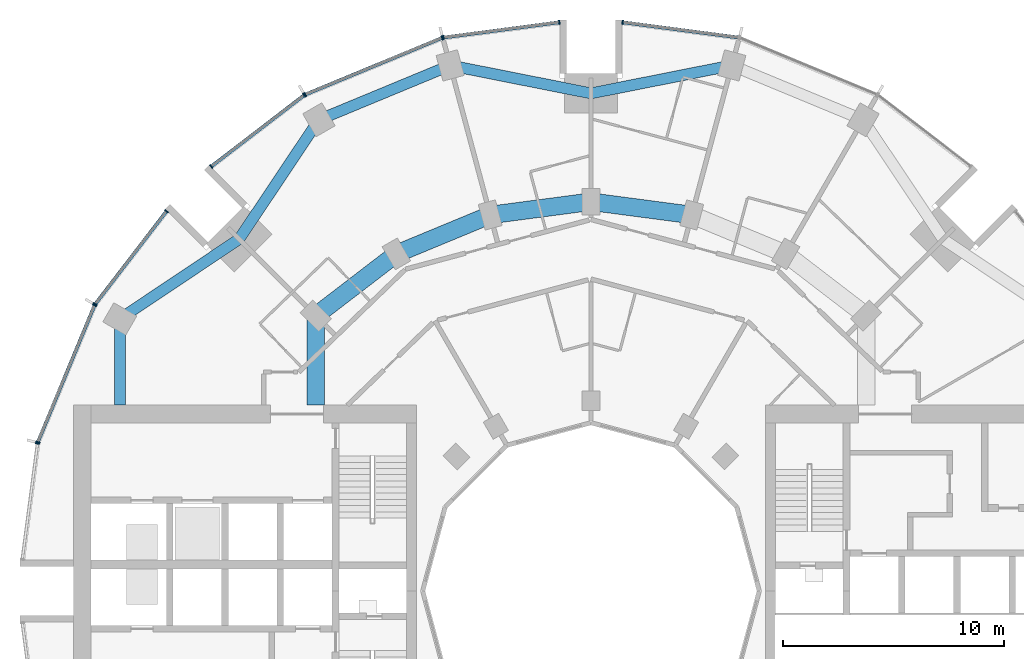
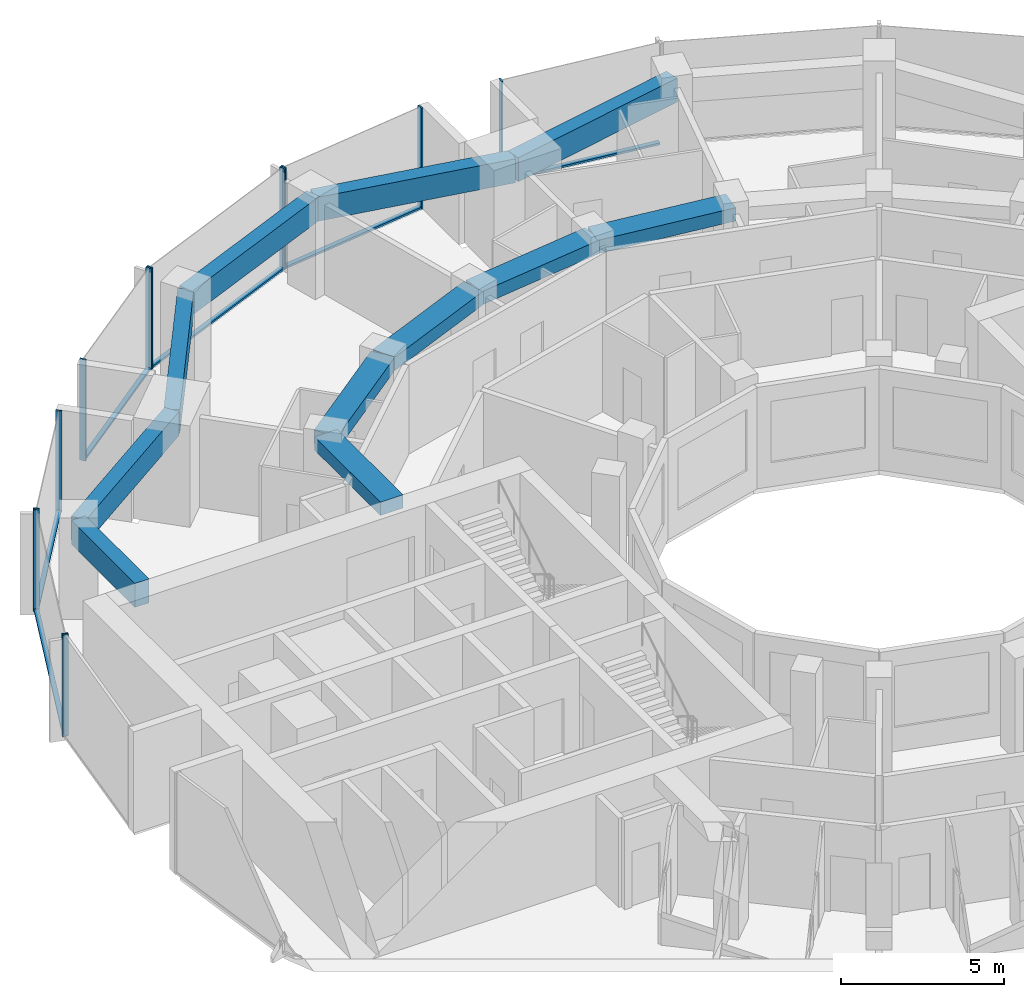
# One storey, part 5 of 15: 18 members, 11 beams, 7 elements without a shape of their own.
"""IFC4 building model written with IfcOpenShell, lengths in metres."""

from ifc_helpers import new_model, si_unit, direction, frame, origin, origin_2d, place, context, subcontext, project, spatial, rectangle, extrude, material, layer, layer_set, material_profile, profile_set, type_object, element, aggregate, save


model = new_model("IFC4")

# Units and contexts
model_context = context("Model", 3, precision=1e-05, world=origin(), true_north=direction((0.0, 1.0)))
body_context = subcontext(model_context, "Body", "Model", "MODEL_VIEW")
ifc_project = project(units=[si_unit("LENGTHUNIT", "METRE"), si_unit("AREAUNIT", "SQUARE_METRE"), si_unit("VOLUMEUNIT", "CUBIC_METRE"), si_unit("PLANEANGLEUNIT", "RADIAN"), si_unit("MASSUNIT", "GRAM", prefix="KILO")], contexts=[model_context])

# Site, building, storey
site_placement = place(None, origin())
site = spatial("IfcSite", under=ifc_project, at=site_placement, CompositionType="ELEMENT")
building_placement = place(site_placement, origin())
building = spatial("IfcBuilding", under=site, at=building_placement, Name="Torre Brocal", CompositionType="ELEMENT")
storey_placement = place(building_placement, frame((0.0, 0.0, 105.199951171875)))
storey = spatial("IfcBuildingStorey", under=building, at=storey_placement, Name="L24", CompositionType="ELEMENT", Elevation=105.199951171875)

# Curtain wall, member
ifc_material_1 = material(Name="Aluminium and glass", Category="aluminium")
ifc_layer_1 = layer(ifc_material_1, 0.199951171875)
ifc_layer_set_1 = layer_set([ifc_layer_1], Name="Aluminium and glass")
curtain_wall_type_1 = type_object("IfcCurtainWallType", Name="CW-1 CURTAIN WALL 3800 HIGH", PredefinedType="NOTDEFINED", material=ifc_layer_set_1)
curtain_wall_1_placement = place(storey_placement, origin())
curtain_wall_1 = element("IfcCurtainWall", 1, at=curtain_wall_1_placement, inside=storey, type_object=curtain_wall_type_1, Name="CW-1 RUN 6", PredefinedType="NOTDEFINED")
ifc_material_2 = material(Name="Aluminium, dark anodised", Category="aluminium")
ifc_material_profile_1 = material_profile(ifc_material_2, rectangle(XDim=0.199951171875, YDim=0.06005859375, at=origin_2d()), Name="CW-1 MULLION 60X200")
ifc_profile_set_1 = profile_set([ifc_material_profile_1], Name="Aluminium, dark anodised")
member_type_1 = type_object("IfcMemberType", Name="CW-1 MULLION 60X200", PredefinedType="MULLION", material=ifc_profile_set_1)
member_1_placement = place(storey_placement, frame((81.4296875, 100.7109375, 0.0), z_axis=(0.0, 0.0, 1.0), x_axis=(-0.13052619222, -0.991444861374, 0.0)))
member_1 = element("IfcMember", 2, at=member_1_placement, type_object=member_type_1, Name="CW1-1 mullion 2", PredefinedType="MULLION", context=body_context, shape_type="SweptSolid", body=[
    extrude(rectangle(XDim=0.199951171875, YDim=0.06005859375, at=origin_2d()), origin(), (0.0, 0.0, 1.0), 3.800048828125),
])

# Curtain wall, members
curtain_wall_2_placement = place(storey_placement, origin())
curtain_wall_2 = element("IfcCurtainWall", 3, at=curtain_wall_2_placement, inside=storey, type_object=curtain_wall_type_1, Name="CW-1 RUN 7", PredefinedType="NOTDEFINED")
member_2_placement = place(storey_placement, frame((78.5703125, 100.7109375, 0.0), z_axis=(0.0, 0.0, 1.0), x_axis=(0.13052619222, -0.991444861374, 0.0)))
member_2 = element("IfcMember", 4, at=member_2_placement, type_object=member_type_1, Name="CW1-1 mullion 1", PredefinedType="MULLION", context=body_context, shape_type="SweptSolid", body=[
    extrude(rectangle(XDim=0.199951171875, YDim=0.06005859375, at=origin_2d()), origin(), (0.0, 0.0, 1.0), 3.800048828125),
])
member_3_placement = place(storey_placement, frame((73.32666015625, 100.0205078125, 0.0), z_axis=(0.0, 0.0, 1.0), x_axis=(0.13052619222, -0.991444861374, 0.0)))
member_3 = element("IfcMember", 5, at=member_3_placement, type_object=member_type_1, Name="CW1-1 mullion 2", PredefinedType="MULLION", context=body_context, shape_type="SweptSolid", body=[
    extrude(rectangle(XDim=0.199951171875, YDim=0.06005859375, at=origin_2d()), origin(), (0.0, 0.0, 1.0), 3.800048828125),
])

curtain_wall_3_placement = place(storey_placement, origin())
curtain_wall_3 = element("IfcCurtainWall", 6, at=curtain_wall_3_placement, inside=storey, type_object=curtain_wall_type_1, Name="CW-1 RUN 8", PredefinedType="NOTDEFINED")
member_4_placement = place(storey_placement, frame((73.26904296875, 100.005126953125, 0.0), z_axis=(0.0, 0.0, 1.0), x_axis=(0.382683432333, -0.923879532525, 0.0)))
member_4 = element("IfcMember", 7, at=member_4_placement, type_object=member_type_1, Name="CW1-1 mullion 1", PredefinedType="MULLION", context=body_context, shape_type="SweptSolid", body=[
    extrude(rectangle(XDim=0.199951171875, YDim=0.06005859375, at=origin_2d()), origin(), (0.0, 0.0, 1.0), 3.800048828125),
])
member_5_placement = place(storey_placement, frame((67.078125, 97.440673828125, 0.0), z_axis=(0.0, 0.0, 1.0), x_axis=(0.382683432333, -0.923879532525, 0.0)))
member_5 = element("IfcMember", 8, at=member_5_placement, type_object=member_type_1, Name="CW1-1 mullion 2", PredefinedType="MULLION", context=body_context, shape_type="SweptSolid", body=[
    extrude(rectangle(XDim=0.199951171875, YDim=0.06005859375, at=origin_2d()), origin(), (0.0, 0.0, 1.0), 3.800048828125),
])

curtain_wall_4_placement = place(storey_placement, origin())
curtain_wall_4 = element("IfcCurtainWall", 9, at=curtain_wall_4_placement, inside=storey, type_object=curtain_wall_type_1, Name="CW-1 RUN 9", PredefinedType="NOTDEFINED")
member_6_placement = place(storey_placement, frame((67.026611328125, 97.4111328125, 0.0), z_axis=(0.0, 0.0, 1.0), x_axis=(0.60876142905, -0.793353340259, 0.0)))
member_6 = element("IfcMember", 10, at=member_6_placement, type_object=member_type_1, Name="CW1-1 mullion 1", PredefinedType="MULLION", context=body_context, shape_type="SweptSolid", body=[
    extrude(rectangle(XDim=0.199951171875, YDim=0.06005859375, at=origin_2d()), origin(), (0.0, 0.0, 1.0), 3.800048828125),
])
member_7_placement = place(storey_placement, frame((62.83056640625, 94.19140625, 0.0), z_axis=(0.0, 0.0, 1.0), x_axis=(0.60876142905, -0.793353340259, 0.0)))
member_7 = element("IfcMember", 11, at=member_7_placement, type_object=member_type_1, Name="CW1-1 mullion 2", PredefinedType="MULLION", context=body_context, shape_type="SweptSolid", body=[
    extrude(rectangle(XDim=0.199951171875, YDim=0.06005859375, at=origin_2d()), origin(), (0.0, 0.0, 1.0), 3.800048828125),
])

curtain_wall_5_placement = place(storey_placement, origin())
curtain_wall_5 = element("IfcCurtainWall", 12, at=curtain_wall_5_placement, inside=storey, type_object=curtain_wall_type_1, Name="CW-1 RUN 10", PredefinedType="NOTDEFINED")
member_8_placement = place(storey_placement, frame((60.80859375, 92.16943359375, 0.0), z_axis=(0.0, 0.0, 1.0), x_axis=(0.793353340259, -0.60876142905, 0.0)))
member_8 = element("IfcMember", 13, at=member_8_placement, type_object=member_type_1, Name="CW1-1 mullion 1", PredefinedType="MULLION", context=body_context, shape_type="SweptSolid", body=[
    extrude(rectangle(XDim=0.199951171875, YDim=0.06005859375, at=origin_2d()), origin(), (0.0, 0.0, 1.0), 3.800048828125),
])
member_9_placement = place(storey_placement, frame((57.5888671875, 87.973388671875, 0.0), z_axis=(0.0, 0.0, 1.0), x_axis=(0.793353340259, -0.60876142905, 0.0)))
member_9 = element("IfcMember", 14, at=member_9_placement, type_object=member_type_1, Name="CW1-1 mullion 2", PredefinedType="MULLION", context=body_context, shape_type="SweptSolid", body=[
    extrude(rectangle(XDim=0.199951171875, YDim=0.06005859375, at=origin_2d()), origin(), (0.0, 0.0, 1.0), 3.800048828125),
])

curtain_wall_6_placement = place(storey_placement, origin())
curtain_wall_6 = element("IfcCurtainWall", 15, at=curtain_wall_6_placement, inside=storey, type_object=curtain_wall_type_1, Name="CW-1 RUN 11", PredefinedType="NOTDEFINED")
member_10_placement = place(storey_placement, frame((57.559326171875, 87.921875, 0.0), z_axis=(0.0, 0.0, 1.0), x_axis=(0.923879532525, -0.382683432333, 0.0)))
member_10 = element("IfcMember", 16, at=member_10_placement, type_object=member_type_1, Name="CW1-1 mullion 1", PredefinedType="MULLION", context=body_context, shape_type="SweptSolid", body=[
    extrude(rectangle(XDim=0.199951171875, YDim=0.06005859375, at=origin_2d()), origin(), (0.0, 0.0, 1.0), 3.800048828125),
])
member_11_placement = place(storey_placement, frame((54.994873046875, 81.73095703125, 0.0), z_axis=(0.0, 0.0, 1.0), x_axis=(0.923879532525, -0.382683432333, 0.0)))
member_11 = element("IfcMember", 17, at=member_11_placement, type_object=member_type_1, Name="CW1-1 mullion 2", PredefinedType="MULLION", context=body_context, shape_type="SweptSolid", body=[
    extrude(rectangle(XDim=0.199951171875, YDim=0.06005859375, at=origin_2d()), origin(), (0.0, 0.0, 1.0), 3.800048828125),
])

# Member
ifc_material_3 = material(Name="Aluminium, dark anodised", Category="aluminium")
ifc_material_profile_2 = material_profile(ifc_material_3, rectangle(XDim=0.159912109375, YDim=0.080078125, at=origin_2d()), Name="CW-1 TRANSOM 160X80")
ifc_profile_set_2 = profile_set([ifc_material_profile_2], Name="Aluminium, dark anodised")
member_type_2 = type_object("IfcMemberType", Name="CW-1 TRANSOM 160X80", PredefinedType="USERDEFINED", material=ifc_profile_set_2)
member_12_placement = place(storey_placement, frame((86.643798828125, 100.0244140625, 0.0400390625), z_axis=(-0.991442690863, 0.130542677827, 0.0), x_axis=(-0.130542677827, -0.991442690863, 0.0)))
member_12 = element("IfcMember", 18, at=member_12_placement, type_object=member_type_2, Name="CW1-1 transom 1.1", ObjectType="TRANSOM", PredefinedType="USERDEFINED", context=body_context, shape_type="SweptSolid", body=[
    extrude(rectangle(XDim=0.159912109375, YDim=0.080078125, at=origin_2d()), origin(), (0.0, 0.0, 1.0), 5.22900390625),
])

aggregate(curtain_wall_1, [member_1, member_12])

member_13_placement = place(storey_placement, frame((78.54052734375, 100.70703125, 0.0400390625), z_axis=(-0.991442690863, -0.130542677827, 0.0), x_axis=(0.130542677827, -0.991442690863, 0.0)))
member_13 = element("IfcMember", 19, at=member_13_placement, type_object=member_type_2, Name="CW1-1 transom 1.1", ObjectType="TRANSOM", PredefinedType="USERDEFINED", context=body_context, shape_type="SweptSolid", body=[
    extrude(rectangle(XDim=0.159912109375, YDim=0.080078125, at=origin_2d()), origin(), (0.0, 0.0, 1.0), 5.22900390625),
])

aggregate(curtain_wall_2, [member_2, member_3, member_13])

member_14_placement = place(storey_placement, frame((73.241455078125, 99.99365234375, 0.0400390625), z_axis=(-0.923887344364, -0.38266457234, 0.0), x_axis=(0.38266457234, -0.923887344364, 0.0)))
member_14 = element("IfcMember", 20, at=member_14_placement, type_object=member_type_2, Name="CW1-1 transom 1.1", ObjectType="TRANSOM", PredefinedType="USERDEFINED", context=body_context, shape_type="SweptSolid", body=[
    extrude(rectangle(XDim=0.159912109375, YDim=0.080078125, at=origin_2d()), origin(), (0.0, 0.0, 1.0), 6.640869140625),
])

aggregate(curtain_wall_3, [member_4, member_5, member_14])

member_15_placement = place(storey_placement, frame((67.0029296875, 97.392822265625, 0.0400390625), z_axis=(-0.79336281513, -0.60874908096, 0.0), x_axis=(0.60874908096, -0.79336281513, 0.0)))
member_15 = element("IfcMember", 21, at=member_15_placement, type_object=member_type_2, Name="CW1-1 transom 1.1", ObjectType="TRANSOM", PredefinedType="USERDEFINED", context=body_context, shape_type="SweptSolid", body=[
    extrude(rectangle(XDim=0.159912109375, YDim=0.080078125, at=origin_2d()), origin(), (0.0, 0.0, 1.0), 5.22900390625),
])

aggregate(curtain_wall_4, [member_6, member_7, member_15])

member_16_placement = place(storey_placement, frame((60.790283203125, 92.1455078125, 0.0400390625), z_axis=(-0.60874908096, -0.79336281513, 0.0), x_axis=(0.79336281513, -0.60874908096, 0.0)))
member_16 = element("IfcMember", 22, at=member_16_placement, type_object=member_type_2, Name="CW1-1 transom 1.1", ObjectType="TRANSOM", PredefinedType="USERDEFINED", context=body_context, shape_type="SweptSolid", body=[
    extrude(rectangle(XDim=0.159912109375, YDim=0.080078125, at=origin_2d()), origin(), (0.0, 0.0, 1.0), 5.22900390625),
])

aggregate(curtain_wall_5, [member_8, member_9, member_16])

member_17_placement = place(storey_placement, frame((57.547607421875, 87.89404296875, 0.0400390625), z_axis=(-0.38266457234, -0.923887344364, 0.0), x_axis=(0.923887344364, -0.38266457234, 0.0)))
member_17 = element("IfcMember", 23, at=member_17_placement, type_object=member_type_2, Name="CW1-1 transom 1.1", ObjectType="TRANSOM", PredefinedType="USERDEFINED", context=body_context, shape_type="SweptSolid", body=[
    extrude(rectangle(XDim=0.159912109375, YDim=0.080078125, at=origin_2d()), origin(), (0.0, 0.0, 1.0), 6.640869140625),
])

aggregate(curtain_wall_6, [member_10, member_11, member_17])

# Curtain wall, member
ifc_material_4 = material(Name="Aluminium and glass", Category="aluminium")
ifc_layer_2 = layer(ifc_material_4, 0.199951171875)
ifc_layer_set_2 = layer_set([ifc_layer_2], Name="Aluminium and glass")
curtain_wall_type_2 = type_object("IfcCurtainWallType", Name="CW-1B CURTAIN WALL 3800 HIGH", PredefinedType="NOTDEFINED", material=ifc_layer_set_2)
curtain_wall_7_placement = place(storey_placement, origin())
curtain_wall_7 = element("IfcCurtainWall", 24, at=curtain_wall_7_placement, inside=storey, type_object=curtain_wall_type_2, Name="CW-1B RUN 12", PredefinedType="NOTDEFINED")
ifc_material_5 = material(Name="Aluminium, dark anodised", Category="aluminium")
ifc_material_profile_3 = material_profile(ifc_material_5, rectangle(XDim=0.199951171875, YDim=0.06005859375, at=origin_2d()), Name="CW-1B MULLION 60X200")
ifc_profile_set_3 = profile_set([ifc_material_profile_3], Name="Aluminium, dark anodised")
member_type_3 = type_object("IfcMemberType", Name="CW-1B MULLION 60X200", PredefinedType="MULLION", material=ifc_profile_set_3)
member_18_placement = place(storey_placement, frame((54.9794921875, 81.67333984375, 0.0), z_axis=(0.0, 0.0, 1.0), x_axis=(0.991444861374, -0.13052619222, 0.0)))
member_18 = element("IfcMember", 25, at=member_18_placement, type_object=member_type_3, Name="CW1B-1 mullion 1", PredefinedType="MULLION", context=body_context, shape_type="SweptSolid", body=[
    extrude(rectangle(XDim=0.199951171875, YDim=0.06005859375, at=origin_2d()), origin(), (0.0, 0.0, 1.0), 3.800048828125),
])
aggregate(curtain_wall_7, [member_18])

# Beams
ifc_material_6 = material(Name="Concrete C50", Category="concrete")
ifc_material_profile_4 = material_profile(ifc_material_6, rectangle(XDim=0.800048828125, YDim=0.5, at=origin_2d()), Name="RC 800X500")
ifc_profile_set_4 = profile_set([ifc_material_profile_4], Name="Concrete C50")
beam_type_1 = type_object("IfcBeamType", Name="RC BEAM 800X500 C50 TOP 3450", PredefinedType="BEAM", material=ifc_profile_set_4)
for number, where, z_axis, x_axis, name in (
    (26, (84.55517578125, 92.000244140625, 3.199951171875), (-0.991440544449, 0.130558978332, 0.0), (-0.130558978332, -0.991440544449, 0.0), "Beam BT-25"),
    (27, (80.0, 92.60009765625, 3.199951171875), (-0.991440544449, -0.130558978332, 0.0), (0.130558978332, -0.991440544449, 0.0), "Beam BT-25"),
):
    element("IfcBeam", number, at=place(storey_placement, frame(where, z_axis=z_axis, x_axis=x_axis)), inside=storey, type_object=beam_type_1, Name=name, PredefinedType="BEAM", context=body_context, shape_type="SweptSolid", body=[
        extrude(rectangle(XDim=0.800048828125, YDim=0.5, at=origin_2d()), origin(), (0.0, 0.0, 1.0), 4.594482421875),
    ])
beam_1_placement = place(storey_placement, frame((75.44482421875, 92.000244140625, 3.199951171875), z_axis=(-0.923878240166, -0.382686552348, 0.0), x_axis=(0.382686552348, -0.923878240166, 0.0)))
element("IfcBeam", 28, at=beam_1_placement, inside=storey, type_object=beam_type_1, Name="Beam BT-25", PredefinedType="BEAM", context=body_context, shape_type="SweptSolid", body=[
    extrude(rectangle(XDim=0.800048828125, YDim=0.5, at=origin_2d()), origin(), (0.0, 0.0, 1.0), 4.5947265625),
])
beam_2_placement = place(storey_placement, frame((71.199951171875, 90.241943359375, 3.199951171875), z_axis=(-0.793358265959, -0.6087550097, 0.0), x_axis=(0.6087550097, -0.793358265959, 0.0)))
element("IfcBeam", 29, at=beam_2_placement, inside=storey, type_object=beam_type_1, Name="Beam BT-25", PredefinedType="BEAM", context=body_context, shape_type="SweptSolid", body=[
    extrude(rectangle(XDim=0.800048828125, YDim=0.5, at=origin_2d()), origin(), (0.0, 0.0, 1.0), 4.594482421875),
])
beam_3_placement = place(storey_placement, frame((67.554931640625, 87.445068359375, 3.199951171875), z_axis=(0.0, -1.0, 0.0), x_axis=(1.0, 0.0, 0.0)))
element("IfcBeam", 30, at=beam_3_placement, inside=storey, type_object=beam_type_1, Name="Beam BT-25", PredefinedType="BEAM", context=body_context, shape_type="SweptSolid", body=[
    extrude(rectangle(XDim=0.800048828125, YDim=0.5, at=origin_2d()), origin(), (0.0, 0.0, 1.0), 4.045166015625),
])
ifc_material_7 = material(Name="Concrete C50", Category="concrete")
ifc_material_profile_5 = material_profile(ifc_material_7, rectangle(XDim=0.5, YDim=0.89990234375, at=origin_2d()), Name="RC 500X900")
ifc_profile_set_5 = profile_set([ifc_material_profile_5], Name="Concrete C50")
beam_type_2 = type_object("IfcBeamType", Name="RC SPANDREL BEAM 500X900 C50 TOP 3450", PredefinedType="SPANDREL", material=ifc_profile_set_5)
for number, where, z_axis, x_axis, name in (
    (31, (86.366943359375, 98.76171875, 3.0), (-0.980924907484, -0.194387051723, 0.0), (0.194387051723, -0.980924907484, 0.0), "Beam BT-26"),
    (32, (80.0, 97.5, 3.0), (-0.980924907484, 0.194387051723, 0.0), (-0.194387051723, -0.980924907484, 0.0), "Beam BT-26"),
):
    element("IfcBeam", number, at=place(storey_placement, frame(where, z_axis=z_axis, x_axis=x_axis)), inside=storey, type_object=beam_type_2, Name=name, PredefinedType="SPANDREL", context=body_context, shape_type="SweptSolid", body=[
        extrude(rectangle(XDim=0.5, YDim=0.89990234375, at=origin_2d()), origin(), (0.0, 0.0, 1.0), 6.49072265625),
    ])
beam_4_placement = place(storey_placement, frame((73.633056640625, 98.76171875, 3.0), z_axis=(-0.923882462513, -0.382676358639, 0.0), x_axis=(0.382676358639, -0.923882462513, 0.0)))
element("IfcBeam", 33, at=beam_4_placement, inside=storey, type_object=beam_type_2, Name="Beam BT-26", PredefinedType="SPANDREL", context=body_context, shape_type="SweptSolid", body=[
    extrude(rectangle(XDim=0.5, YDim=0.89990234375, at=origin_2d()), origin(), (0.0, 0.0, 1.0), 6.421875),
])
for number, where, z_axis, x_axis, name in (
    (34, (67.699951171875, 96.30419921875, 3.0), (-0.556157602282, -0.831076844476, 0.0), (0.831076844476, -0.556157602282, 0.0), "Beam BT-26"),
    (35, (64.090087890625, 90.909912109375, 3.0), (-0.831076844476, -0.556157602282, 0.0), (0.556157602282, -0.831076844476, 0.0), "Beam BT-26"),
):
    element("IfcBeam", number, at=place(storey_placement, frame(where, z_axis=z_axis, x_axis=x_axis)), inside=storey, type_object=beam_type_2, Name=name, PredefinedType="SPANDREL", context=body_context, shape_type="SweptSolid", body=[
        extrude(rectangle(XDim=0.5, YDim=0.89990234375, at=origin_2d()), origin(), (0.0, 0.0, 1.0), 6.49072265625),
    ])
beam_5_placement = place(storey_placement, frame((58.69580078125, 87.300048828125, 3.0), z_axis=(0.0, -1.0, 0.0), x_axis=(1.0, 0.0, 0.0)))
element("IfcBeam", 36, at=beam_5_placement, inside=storey, type_object=beam_type_2, Name="Beam BT-26", PredefinedType="SPANDREL", context=body_context, shape_type="SweptSolid", body=[
    extrude(rectangle(XDim=0.5, YDim=0.89990234375, at=origin_2d()), origin(), (0.0, 0.0, 1.0), 3.900146484375),
])

save(model, "model.ifc")
